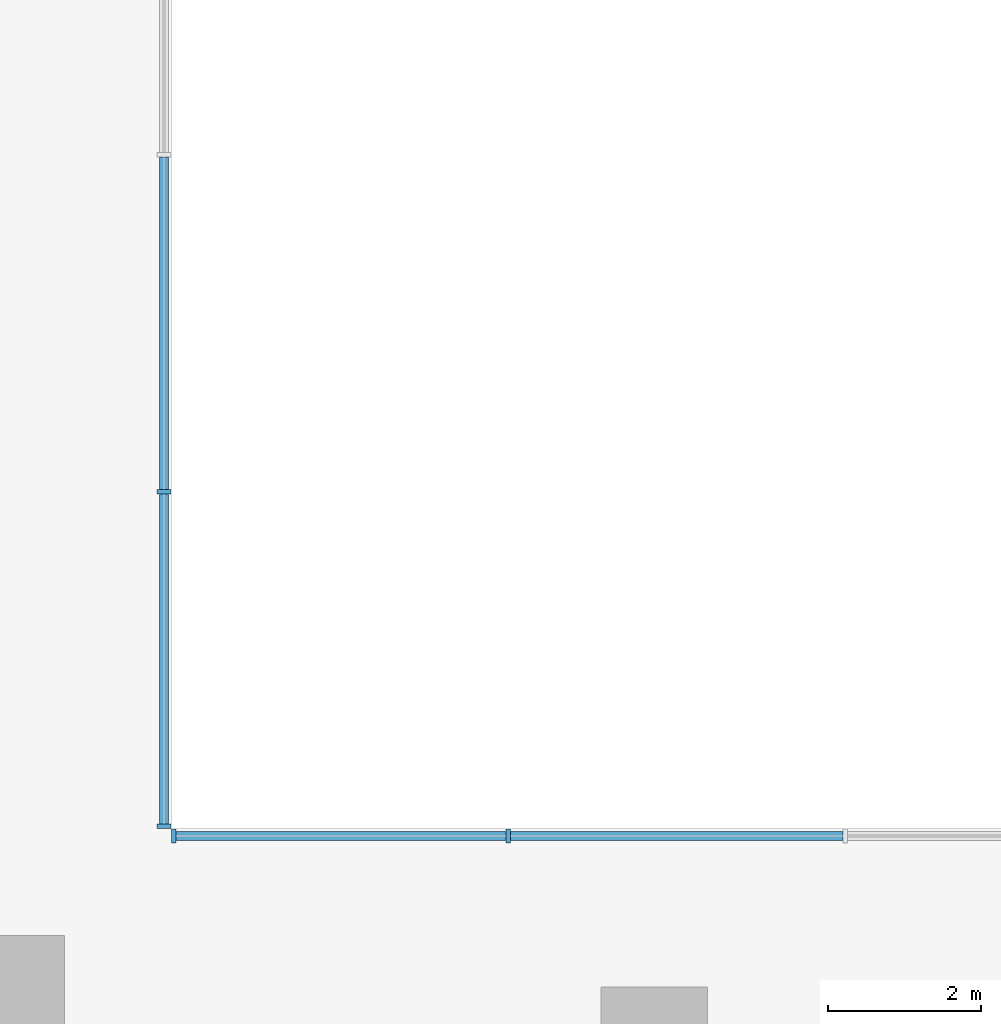
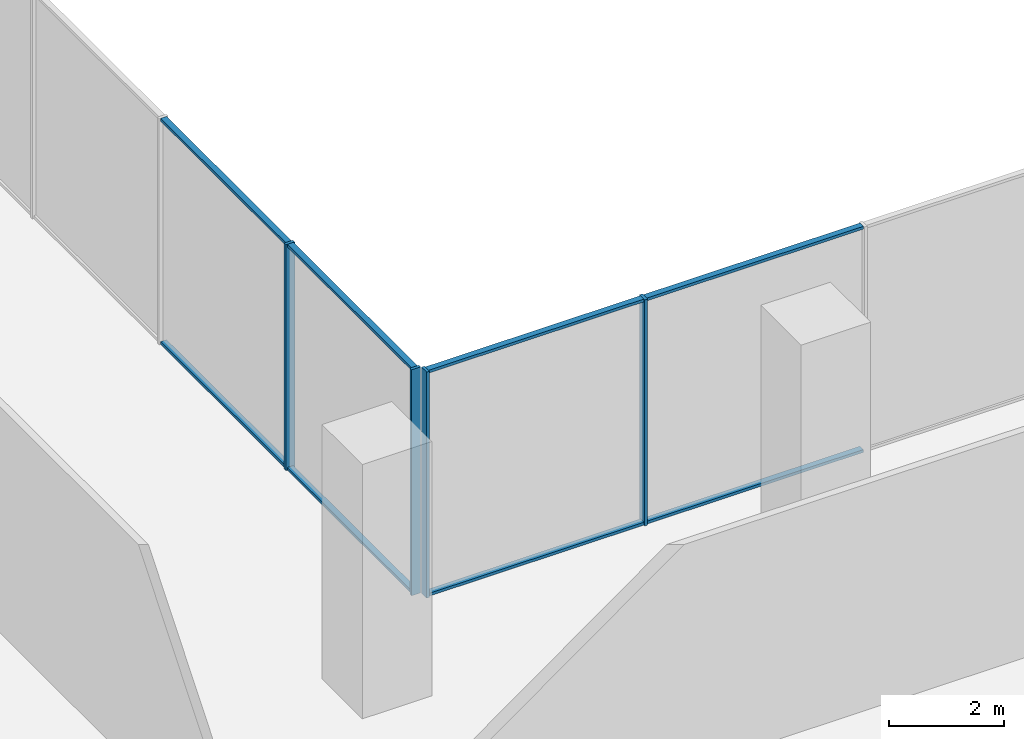
# One storey, part 7 of 23: 12 members, 2 elements without a shape of their own.
"""IFC4 building model written with IfcOpenShell, lengths in metres."""

from ifc_helpers import new_model, si_unit, direction, frame, origin, origin_2d, place, context, subcontext, project, spatial, rectangle, extrude, source, transform, mapped, material, layer, layer_set, material_profile, profile_set, type_object, element, aggregate, save


model = new_model("IFC4")

# Units and contexts
model_context = context("Model", 3, precision=1e-05, world=origin(), true_north=direction((0.0, 1.0)))
body_context = subcontext(model_context, "Body", "Model", "MODEL_VIEW")
ifc_project = project(units=[si_unit("LENGTHUNIT", "METRE"), si_unit("AREAUNIT", "SQUARE_METRE"), si_unit("VOLUMEUNIT", "CUBIC_METRE"), si_unit("PLANEANGLEUNIT", "RADIAN"), si_unit("MASSUNIT", "GRAM", prefix="KILO")], contexts=[model_context])

# Site, building, storey
site_placement = place(None, origin())
site = spatial("IfcSite", under=ifc_project, at=site_placement, CompositionType="ELEMENT")
building_placement = place(site_placement, origin())
building = spatial("IfcBuilding", under=site, at=building_placement, Name="Aurelian Terraces", CompositionType="ELEMENT")
storey_placement = place(building_placement, frame((0.0, 0.0, 18.3)))
storey = spatial("IfcBuildingStorey", under=building, at=storey_placement, Name="L03", CompositionType="ELEMENT", Elevation=18.3)

# Curtain wall, members
ifc_material_1 = material(Name="Anodised aluminium and clear glazing", Category="aluminium")
ifc_layer = layer(ifc_material_1, 0.2)
ifc_layer_set = layer_set([ifc_layer], Name="Winter garden glazing curtain wall")
curtain_wall_type = type_object("IfcCurtainWallType", Name="Winter garden glazing curtain wall", PredefinedType="NOTDEFINED", material=ifc_layer_set)
curtain_wall_1_placement = place(storey_placement, origin())
curtain_wall_1 = element("IfcCurtainWall", 1, at=curtain_wall_1_placement, inside=storey, type_object=curtain_wall_type, Name="Winter garden glazing L03 F03.1", PredefinedType="NOTDEFINED")
ifc_material_2 = material(Name="Anodised aluminium", Category="aluminium")
ifc_material_profile_1 = material_profile(ifc_material_2, rectangle(XDim=0.18, YDim=0.06, at=origin_2d()))
ifc_profile_set_1 = profile_set([ifc_material_profile_1], Name="Anodised aluminium")
member_type_1 = type_object("IfcMemberType", Name="Winter garden glazing mullion", PredefinedType="MULLION", material=ifc_profile_set_1)
shared_shape_1 = source(origin(), body_context, "Body", "SweptSolid", [
    extrude(rectangle(XDim=0.18, YDim=0.06, at=origin_2d()), origin(), (0.0, 0.0, 1.0), 4.8),
])
member_1_placement = place(storey_placement, frame((58.59, 54.08, 0.0), z_axis=(0.0, 0.0, 1.0), x_axis=(0.0, -1.0, 0.0)))
member_1 = element("IfcMember", 2, at=member_1_placement, type_object=member_type_1, Name="CW6 mullion 4", PredefinedType="MULLION", context=body_context, shape_type="MappedRepresentation", body=[
    mapped(shared_shape_1, transform((0.0, 0.0, 0.0), scale=1.0)),
])
member_2_placement = place(storey_placement, frame((54.21, 54.08, 0.0), z_axis=(0.0, 0.0, 1.0), x_axis=(0.0, -1.0, 0.0)))
member_2 = element("IfcMember", 3, at=member_2_placement, type_object=member_type_1, Name="CW6 mullion 5", PredefinedType="MULLION", context=body_context, shape_type="MappedRepresentation", body=[
    mapped(shared_shape_1, transform((0.0, 0.0, 0.0), scale=1.0)),
])

curtain_wall_2_placement = place(storey_placement, origin())
curtain_wall_2 = element("IfcCurtainWall", 4, at=curtain_wall_2_placement, inside=storey, type_object=curtain_wall_type, Name="Winter garden glazing L03 F04.1", PredefinedType="NOTDEFINED")
member_3_placement = place(storey_placement, frame((54.08, 54.21, 0.0), z_axis=(0.0, 0.0, 1.0), x_axis=(-1.0, 0.0, 0.0)))
member_3 = element("IfcMember", 5, at=member_3_placement, type_object=member_type_1, Name="CW6 mullion 1", PredefinedType="MULLION", context=body_context, shape_type="MappedRepresentation", body=[
    mapped(shared_shape_1, transform((0.0, 0.0, 0.0), scale=1.0)),
])
member_4_placement = place(storey_placement, frame((54.08, 58.59, 0.0), z_axis=(0.0, 0.0, 1.0), x_axis=(-1.0, 0.0, 0.0)))
member_4 = element("IfcMember", 6, at=member_4_placement, type_object=member_type_1, Name="CW6 mullion 2", PredefinedType="MULLION", context=body_context, shape_type="MappedRepresentation", body=[
    mapped(shared_shape_1, transform((0.0, 0.0, 0.0), scale=1.0)),
])

# Member
ifc_material_profile_2 = material_profile(ifc_material_2, rectangle(XDim=0.12, YDim=0.06, at=origin_2d()))
ifc_profile_set_2 = profile_set([ifc_material_profile_2], Name="Anodised aluminium")
member_type_2 = type_object("IfcMemberType", Name="Winter garden glazing transom", PredefinedType="USERDEFINED", material=ifc_profile_set_2)
shared_shape_2 = source(origin(), body_context, "Body", "SweptSolid", [
    extrude(rectangle(XDim=0.12, YDim=0.06, at=origin_2d()), origin(), (0.0, 0.0, 1.0), 4.32),
])
member_5_placement = place(storey_placement, frame((58.56, 54.08, 0.03), z_axis=(-1.0, 0.0, 0.0), x_axis=(0.0, -1.0, 0.0)))
member_5 = element("IfcMember", 7, at=member_5_placement, type_object=member_type_2, Name="CW6 transom 4.1", ObjectType="TRANSOM", PredefinedType="USERDEFINED", context=body_context, shape_type="MappedRepresentation", body=[
    mapped(shared_shape_2, transform((0.0, 0.0, 0.0), scale=1.0)),
])

member_6_placement = place(storey_placement, frame((58.56, 54.08, 4.77), z_axis=(-1.0, 0.0, 0.0), x_axis=(0.0, -1.0, 0.0)))
member_6 = element("IfcMember", 8, at=member_6_placement, type_object=member_type_2, Name="CW6 transom 4.2", ObjectType="TRANSOM", PredefinedType="USERDEFINED", context=body_context, shape_type="MappedRepresentation", body=[
    mapped(shared_shape_2, transform((0.0, 0.0, 0.0), scale=1.0)),
])

member_7_placement = place(storey_placement, frame((54.08, 54.24, 0.03), z_axis=(0.0, 1.0, 0.0), x_axis=(-1.0, 0.0, 0.0)))
member_7 = element("IfcMember", 9, at=member_7_placement, type_object=member_type_2, Name="CW6 transom 1.1", ObjectType="TRANSOM", PredefinedType="USERDEFINED", context=body_context, shape_type="MappedRepresentation", body=[
    mapped(shared_shape_2, transform((0.0, 0.0, 0.0), scale=1.0)),
])

member_8_placement = place(storey_placement, frame((54.08, 54.24, 4.77), z_axis=(0.0, 1.0, 0.0), x_axis=(-1.0, 0.0, 0.0)))
member_8 = element("IfcMember", 10, at=member_8_placement, type_object=member_type_2, Name="CW6 transom 1.2", ObjectType="TRANSOM", PredefinedType="USERDEFINED", context=body_context, shape_type="MappedRepresentation", body=[
    mapped(shared_shape_2, transform((0.0, 0.0, 0.0), scale=1.0)),
])

shared_shape_3 = source(origin(), body_context, "Body", "SweptSolid", [
    extrude(rectangle(XDim=0.12, YDim=0.06, at=origin_2d()), origin(), (0.0, 0.0, 1.0), 4.35),
])
member_9_placement = place(storey_placement, frame((62.97, 54.08, 0.03), z_axis=(-1.0, 0.0, 0.0), x_axis=(0.0, -1.0, 0.0)))
member_9 = element("IfcMember", 11, at=member_9_placement, type_object=member_type_2, Name="CW6 transom 3.1", ObjectType="TRANSOM", PredefinedType="USERDEFINED", context=body_context, shape_type="MappedRepresentation", body=[
    mapped(shared_shape_3, transform((0.0, 0.0, 0.0), scale=1.0)),
])

member_10_placement = place(storey_placement, frame((62.97, 54.08, 4.77), z_axis=(-1.0, 0.0, 0.0), x_axis=(0.0, -1.0, 0.0)))
member_10 = element("IfcMember", 12, at=member_10_placement, type_object=member_type_2, Name="CW6 transom 3.2", ObjectType="TRANSOM", PredefinedType="USERDEFINED", context=body_context, shape_type="MappedRepresentation", body=[
    mapped(shared_shape_3, transform((0.0, 0.0, 0.0), scale=1.0)),
])

aggregate(curtain_wall_1, [member_1, member_2, member_9, member_10, member_5, member_6])

member_11_placement = place(storey_placement, frame((54.08, 58.62, 0.03), z_axis=(0.0, 1.0, 0.0), x_axis=(-1.0, 0.0, 0.0)))
member_11 = element("IfcMember", 13, at=member_11_placement, type_object=member_type_2, Name="CW6 transom 2.1", ObjectType="TRANSOM", PredefinedType="USERDEFINED", context=body_context, shape_type="MappedRepresentation", body=[
    mapped(shared_shape_3, transform((0.0, 0.0, 0.0), scale=1.0)),
])

member_12_placement = place(storey_placement, frame((54.08, 58.62, 4.77), z_axis=(0.0, 1.0, 0.0), x_axis=(-1.0, 0.0, 0.0)))
member_12 = element("IfcMember", 14, at=member_12_placement, type_object=member_type_2, Name="CW6 transom 2.2", ObjectType="TRANSOM", PredefinedType="USERDEFINED", context=body_context, shape_type="MappedRepresentation", body=[
    mapped(shared_shape_3, transform((0.0, 0.0, 0.0), scale=1.0)),
])

aggregate(curtain_wall_2, [member_3, member_4, member_7, member_8, member_11, member_12])

save(model, "model.ifc")
